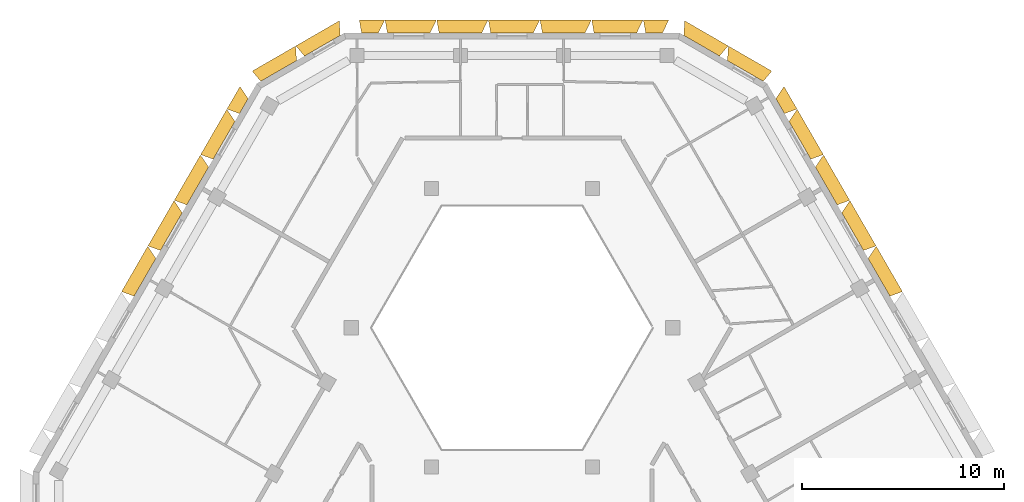
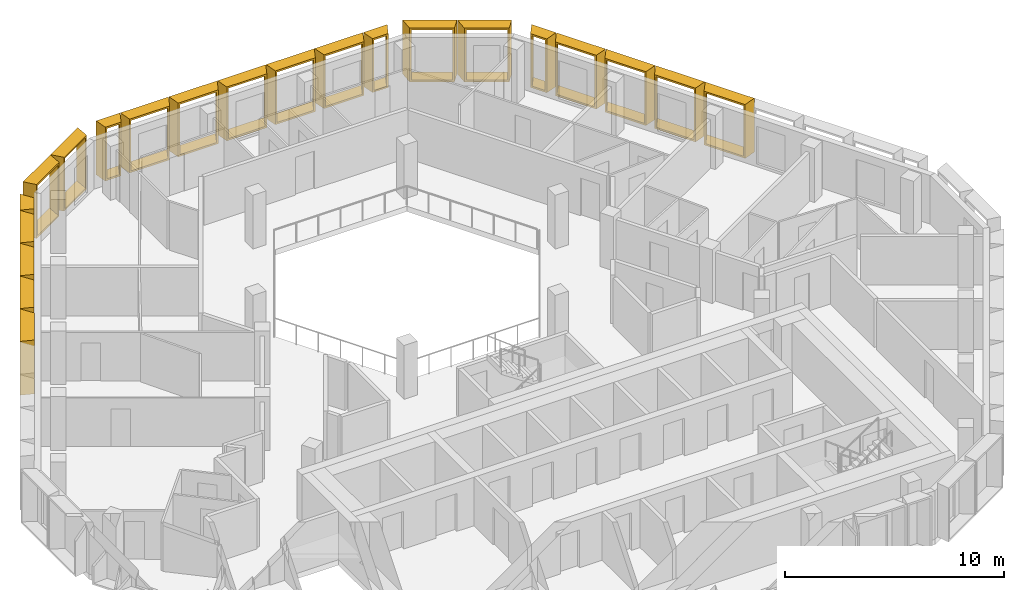
# One storey, part 14 of 14: 21 shading devices.
"""IFC4 building model written with IfcOpenShell, lengths in metres."""

from ifc_helpers import new_model, entity, si_unit, direction, frame, origin, place, context, subcontext, project, spatial, source, transform, mapped, material, type_object, type_shapes, element, save


model = new_model("IFC4")

# Units and contexts
model_context = context("Model", 3, precision=1e-05, world=origin(), true_north=direction((0.0, 1.0)))
body_context = subcontext(model_context, "Body", "Model", "MODEL_VIEW")
ifc_project = project(units=[si_unit("LENGTHUNIT", "METRE"), si_unit("AREAUNIT", "SQUARE_METRE"), si_unit("VOLUMEUNIT", "CUBIC_METRE"), si_unit("PLANEANGLEUNIT", "RADIAN"), si_unit("MASSUNIT", "GRAM", prefix="KILO")], contexts=[model_context])

# Site, building, storey
site_placement = place(None, origin())
site = spatial("IfcSite", under=ifc_project, at=site_placement, CompositionType="ELEMENT")
building_placement = place(site_placement, origin())
building = spatial("IfcBuilding", under=site, at=building_placement, Name="Beryl Residences", CompositionType="ELEMENT")
storey_placement = place(building_placement, frame((0.0, 0.0, 223.800048828125)))
storey = spatial("IfcBuildingStorey", under=building, at=storey_placement, Name="L69", CompositionType="ELEMENT", Elevation=223.800048828125)

# Shading devices
ifc_material_1 = material(Name="Aluminium pale anodised", Category="aluminium")
shading_device_type_1 = type_object("IfcShadingDeviceType", Name="FR128-65B OUTER SKIN frame 650 mm deep, splay 26/10 deg, 1280 x 3000 mm cell", PredefinedType="USERDEFINED", material=ifc_material_1)
cartesian_point_1 = entity("IfcCartesianPoint", [-0.4140625, 0.0])
cartesian_point_2 = entity("IfcCartesianPoint", [-0.324951171875, 0.10009765625])
cartesian_point_3 = entity("IfcCartesianPoint", [-0.73095703125, 0.0])
cartesian_point_4 = entity("IfcCartesianPoint", [-0.64208984375, 0.10009765625])
shared_shape_1 = source(origin(), body_context, "Body", "SweptSolid", [
    entity("IfcExtrudedAreaSolidTapered", entity("IfcArbitraryProfileDefWithVoids", "AREA", None, entity("IfcPolyline", [cartesian_point_1, entity("IfcCartesianPoint", [0.4140625, 0.0]), entity("IfcCartesianPoint", [0.4140625, 3.0]), entity("IfcCartesianPoint", [-0.4140625, 3.0]), cartesian_point_1]), [entity("IfcPolyline", [cartesian_point_2, entity("IfcCartesianPoint", [0.332763671875, 0.10009765625]), entity("IfcCartesianPoint", [0.332763671875, 2.89990234375]), entity("IfcCartesianPoint", [-0.324951171875, 2.89990234375]), cartesian_point_2])]), entity("IfcAxis2Placement3D", entity("IfcCartesianPoint", [0.0, 0.0, 0.0]), entity("IfcDirection", [0.0, 1.0, 0.0]), entity("IfcDirection", [-1.0, 0.0, 0.0])), entity("IfcDirection", [0.0, 0.0, 1.0]), 0.64990234375, entity("IfcArbitraryProfileDefWithVoids", "AREA", None, entity("IfcPolyline", [cartesian_point_3, entity("IfcCartesianPoint", [0.528564453125, 0.0]), entity("IfcCartesianPoint", [0.528564453125, 3.0]), entity("IfcCartesianPoint", [-0.73095703125, 3.0]), cartesian_point_3]), [entity("IfcPolyline", [cartesian_point_4, entity("IfcCartesianPoint", [0.447265625, 0.10009765625]), entity("IfcCartesianPoint", [0.447265625, 2.89990234375]), entity("IfcCartesianPoint", [-0.64208984375, 2.89990234375]), cartesian_point_4])])),
])
type_shapes(shading_device_type_1, [shared_shape_1])
for number, where, z_axis, x_axis, name in (
    (1, (7.0390625, 22.60009765625, 0.0), (0.0, 0.0, 1.0), (1.0, 0.0, 0.0), "FR128-65B frame L69 N 1"),
    (2, (-7.0380859375, 22.60009765625, 0.0), (0.0, 0.0, 1.0), (1.0, 0.0, 0.0), "FR128-65B frame L69 N 7"),
):
    element("IfcShadingDevice", number, at=place(storey_placement, frame(where, z_axis=z_axis, x_axis=x_axis)), inside=storey, type_object=shading_device_type_1, Name=name, ObjectType="OUTER SKIN", PredefinedType="USERDEFINED", context=body_context, shape_type="MappedRepresentation", body=[
        mapped(shared_shape_1, transform((0.0, 0.0, 0.0))),
    ])
ifc_material_2 = material(Name="Aluminium pale anodised", Category="aluminium")
shading_device_type_2 = type_object("IfcShadingDeviceType", Name="FR131-65B OUTER SKIN frame 650 mm deep, splay 26/10 deg, 1310 x 3000 mm cell", PredefinedType="USERDEFINED", material=ifc_material_2)
cartesian_point_5 = entity("IfcCartesianPoint", [-0.428955078125, 0.0])
cartesian_point_6 = entity("IfcCartesianPoint", [-0.340087890625, 0.10009765625])
cartesian_point_7 = entity("IfcCartesianPoint", [-0.74609375, 0.0])
cartesian_point_8 = entity("IfcCartesianPoint", [-0.656982421875, 0.10009765625])
shared_shape_2 = source(origin(), body_context, "Body", "SweptSolid", [
    entity("IfcExtrudedAreaSolidTapered", entity("IfcArbitraryProfileDefWithVoids", "AREA", None, entity("IfcPolyline", [cartesian_point_5, entity("IfcCartesianPoint", [0.428955078125, 0.0]), entity("IfcCartesianPoint", [0.428955078125, 3.0]), entity("IfcCartesianPoint", [-0.428955078125, 3.0]), cartesian_point_5]), [entity("IfcPolyline", [cartesian_point_6, entity("IfcCartesianPoint", [0.34765625, 0.10009765625]), entity("IfcCartesianPoint", [0.34765625, 2.89990234375]), entity("IfcCartesianPoint", [-0.340087890625, 2.89990234375]), cartesian_point_6])]), entity("IfcAxis2Placement3D", entity("IfcCartesianPoint", [0.0, 0.0, 0.0]), entity("IfcDirection", [0.0, 1.0, 0.0]), entity("IfcDirection", [-1.0, 0.0, 0.0])), entity("IfcDirection", [0.0, 0.0, 1.0]), 0.64990234375, entity("IfcArbitraryProfileDefWithVoids", "AREA", None, entity("IfcPolyline", [cartesian_point_7, entity("IfcCartesianPoint", [0.543701171875, 0.0]), entity("IfcCartesianPoint", [0.543701171875, 3.0]), entity("IfcCartesianPoint", [-0.74609375, 3.0]), cartesian_point_7]), [entity("IfcPolyline", [cartesian_point_8, entity("IfcCartesianPoint", [0.46240234375, 0.10009765625]), entity("IfcCartesianPoint", [0.46240234375, 2.89990234375]), entity("IfcCartesianPoint", [-0.656982421875, 2.89990234375]), cartesian_point_8])])),
])
type_shapes(shading_device_type_2, [shared_shape_2])
shading_device_1_placement = place(storey_placement, frame((-13.2880859375, 18.98388671875, 0.0), z_axis=(0.0, 0.0, 1.0), x_axis=(0.5, 0.866025403784, 0.0)))
element("IfcShadingDevice", 3, at=shading_device_1_placement, inside=storey, type_object=shading_device_type_2, Name="FR131-65B frame L69 NW 1", ObjectType="OUTER SKIN", PredefinedType="USERDEFINED", context=body_context, shape_type="MappedRepresentation", body=[
    mapped(shared_shape_2, transform((0.0, 0.0, 0.0))),
])
ifc_material_3 = material(Name="Aluminium pale anodised", Category="aluminium")
shading_device_type_3 = type_object("IfcShadingDeviceType", Name="FR131-65C OUTER SKIN frame 650 mm deep, splay 10/26 deg, 1310 x 3000 mm cell", PredefinedType="USERDEFINED", material=ifc_material_3)
cartesian_point_9 = entity("IfcCartesianPoint", [-0.428955078125, 0.0])
cartesian_point_10 = entity("IfcCartesianPoint", [-0.34765625, 0.10009765625])
cartesian_point_11 = entity("IfcCartesianPoint", [-0.543701171875, 0.0])
cartesian_point_12 = entity("IfcCartesianPoint", [-0.46240234375, 0.10009765625])
shared_shape_3 = source(origin(), body_context, "Body", "SweptSolid", [
    entity("IfcExtrudedAreaSolidTapered", entity("IfcArbitraryProfileDefWithVoids", "AREA", None, entity("IfcPolyline", [cartesian_point_9, entity("IfcCartesianPoint", [0.428955078125, 0.0]), entity("IfcCartesianPoint", [0.428955078125, 3.0]), entity("IfcCartesianPoint", [-0.428955078125, 3.0]), cartesian_point_9]), [entity("IfcPolyline", [cartesian_point_10, entity("IfcCartesianPoint", [0.340087890625, 0.10009765625]), entity("IfcCartesianPoint", [0.340087890625, 2.89990234375]), entity("IfcCartesianPoint", [-0.34765625, 2.89990234375]), cartesian_point_10])]), entity("IfcAxis2Placement3D", entity("IfcCartesianPoint", [0.0, 0.0, 0.0]), entity("IfcDirection", [0.0, 1.0, 0.0]), entity("IfcDirection", [-1.0, 0.0, 0.0])), entity("IfcDirection", [0.0, 0.0, 1.0]), 0.64990234375, entity("IfcArbitraryProfileDefWithVoids", "AREA", None, entity("IfcPolyline", [cartesian_point_11, entity("IfcCartesianPoint", [0.74609375, 0.0]), entity("IfcCartesianPoint", [0.74609375, 3.0]), entity("IfcCartesianPoint", [-0.543701171875, 3.0]), cartesian_point_11]), [entity("IfcPolyline", [cartesian_point_12, entity("IfcCartesianPoint", [0.656982421875, 0.10009765625]), entity("IfcCartesianPoint", [0.656982421875, 2.89990234375]), entity("IfcCartesianPoint", [-0.46240234375, 2.89990234375]), cartesian_point_12])])),
])
type_shapes(shading_device_type_3, [shared_shape_3])
shading_device_2_placement = place(storey_placement, frame((13.2880859375, 18.98388671875, 0.0), z_axis=(0.0, 0.0, 1.0), x_axis=(0.5, -0.866025403784, 0.0)))
element("IfcShadingDevice", 4, at=shading_device_2_placement, inside=storey, type_object=shading_device_type_3, Name="FR131-65C frame L69 NE 9", ObjectType="OUTER SKIN", PredefinedType="USERDEFINED", context=body_context, shape_type="MappedRepresentation", body=[
    mapped(shared_shape_3, transform((0.0, 0.0, 0.0))),
])
ifc_material_4 = material(Name="Aluminium pale anodised", Category="aluminium")
shading_device_type_4 = type_object("IfcShadingDeviceType", Name="FR250-65B OUTER SKIN frame 650 mm deep, splay 26/10 deg, 2500 x 3000 mm cell", PredefinedType="USERDEFINED", material=ifc_material_4)
cartesian_point_13 = entity("IfcCartesianPoint", [-1.02392578125, 0.0])
cartesian_point_14 = entity("IfcCartesianPoint", [-0.93505859375, 0.10009765625])
cartesian_point_15 = entity("IfcCartesianPoint", [-1.341064453125, 0.0])
cartesian_point_16 = entity("IfcCartesianPoint", [-1.251953125, 0.10009765625])
shared_shape_4 = source(origin(), body_context, "Body", "SweptSolid", [
    entity("IfcExtrudedAreaSolidTapered", entity("IfcArbitraryProfileDefWithVoids", "AREA", None, entity("IfcPolyline", [cartesian_point_13, entity("IfcCartesianPoint", [1.02392578125, 0.0]), entity("IfcCartesianPoint", [1.02392578125, 3.0]), entity("IfcCartesianPoint", [-1.02392578125, 3.0]), cartesian_point_13]), [entity("IfcPolyline", [cartesian_point_14, entity("IfcCartesianPoint", [0.94287109375, 0.10009765625]), entity("IfcCartesianPoint", [0.94287109375, 2.89990234375]), entity("IfcCartesianPoint", [-0.93505859375, 2.89990234375]), cartesian_point_14])]), entity("IfcAxis2Placement3D", entity("IfcCartesianPoint", [0.0, 0.0, 0.0]), entity("IfcDirection", [0.0, 1.0, 0.0]), entity("IfcDirection", [-1.0, 0.0, 0.0])), entity("IfcDirection", [0.0, 0.0, 1.0]), 0.64990234375, entity("IfcArbitraryProfileDefWithVoids", "AREA", None, entity("IfcPolyline", [cartesian_point_15, entity("IfcCartesianPoint", [1.138671875, 0.0]), entity("IfcCartesianPoint", [1.138671875, 3.0]), entity("IfcCartesianPoint", [-1.341064453125, 3.0]), cartesian_point_15]), [entity("IfcPolyline", [cartesian_point_16, entity("IfcCartesianPoint", [1.057373046875, 0.10009765625]), entity("IfcCartesianPoint", [1.057373046875, 2.89990234375]), entity("IfcCartesianPoint", [-1.251953125, 2.89990234375]), cartesian_point_16])])),
])
type_shapes(shading_device_type_4, [shared_shape_4])
for number, where, z_axis, x_axis, name in (
    (5, (-9.39599609375, 21.97509765625, 0.0), (0.0, 0.0, 1.0), (0.866025403784, 0.5, 0.0), "FR250-65B frame L69 N-NW 1"),
    (6, (-11.56103515625, 20.72509765625, 0.0), (0.0, 0.0, 1.0), (0.866025403784, 0.5, 0.0), "FR250-65B frame L69 N-NW 2"),
):
    element("IfcShadingDevice", number, at=place(storey_placement, frame(where, z_axis=z_axis, x_axis=x_axis)), inside=storey, type_object=shading_device_type_4, Name=name, ObjectType="OUTER SKIN", PredefinedType="USERDEFINED", context=body_context, shape_type="MappedRepresentation", body=[
        mapped(shared_shape_4, transform((0.0, 0.0, 0.0))),
    ])
ifc_material_5 = material(Name="Aluminium pale anodised", Category="aluminium")
shading_device_type_5 = type_object("IfcShadingDeviceType", Name="FR250-65C OUTER SKIN frame 650 mm deep, splay 10/26 deg, 2500 x 3000 mm cell", PredefinedType="USERDEFINED", material=ifc_material_5)
cartesian_point_17 = entity("IfcCartesianPoint", [-1.02392578125, 0.0])
cartesian_point_18 = entity("IfcCartesianPoint", [-0.94287109375, 0.10009765625])
cartesian_point_19 = entity("IfcCartesianPoint", [-1.138671875, 0.0])
cartesian_point_20 = entity("IfcCartesianPoint", [-1.057373046875, 0.10009765625])
shared_shape_5 = source(origin(), body_context, "Body", "SweptSolid", [
    entity("IfcExtrudedAreaSolidTapered", entity("IfcArbitraryProfileDefWithVoids", "AREA", None, entity("IfcPolyline", [cartesian_point_17, entity("IfcCartesianPoint", [1.02392578125, 0.0]), entity("IfcCartesianPoint", [1.02392578125, 3.0]), entity("IfcCartesianPoint", [-1.02392578125, 3.0]), cartesian_point_17]), [entity("IfcPolyline", [cartesian_point_18, entity("IfcCartesianPoint", [0.93505859375, 0.10009765625]), entity("IfcCartesianPoint", [0.93505859375, 2.89990234375]), entity("IfcCartesianPoint", [-0.94287109375, 2.89990234375]), cartesian_point_18])]), entity("IfcAxis2Placement3D", entity("IfcCartesianPoint", [0.0, 0.0, 0.0]), entity("IfcDirection", [0.0, 1.0, 0.0]), entity("IfcDirection", [-1.0, 0.0, 0.0])), entity("IfcDirection", [0.0, 0.0, 1.0]), 0.64990234375, entity("IfcArbitraryProfileDefWithVoids", "AREA", None, entity("IfcPolyline", [cartesian_point_19, entity("IfcCartesianPoint", [1.341064453125, 0.0]), entity("IfcCartesianPoint", [1.341064453125, 3.0]), entity("IfcCartesianPoint", [-1.138671875, 3.0]), cartesian_point_19]), [entity("IfcPolyline", [cartesian_point_20, entity("IfcCartesianPoint", [1.251953125, 0.10009765625]), entity("IfcCartesianPoint", [1.251953125, 2.89990234375]), entity("IfcCartesianPoint", [-1.057373046875, 2.89990234375]), cartesian_point_20])])),
])
type_shapes(shading_device_type_5, [shared_shape_5])
for number, where, z_axis, x_axis, name in (
    (7, (11.56103515625, 20.72509765625, 0.0), (0.0, 0.0, 1.0), (0.866025403784, -0.5, 0.0), "FR250-65C frame L69 NE-N 1"),
    (8, (9.39599609375, 21.97509765625, 0.0), (0.0, 0.0, 1.0), (0.866025403784, -0.5, 0.0), "FR250-65C frame L69 NE-N 2"),
):
    element("IfcShadingDevice", number, at=place(storey_placement, frame(where, z_axis=z_axis, x_axis=x_axis)), inside=storey, type_object=shading_device_type_5, Name=name, ObjectType="OUTER SKIN", PredefinedType="USERDEFINED", context=body_context, shape_type="MappedRepresentation", body=[
        mapped(shared_shape_5, transform((0.0, 0.0, 0.0))),
    ])
ifc_material_6 = material(Name="Aluminium pale anodised", Category="aluminium")
shading_device_type_6 = type_object("IfcShadingDeviceType", Name="FR256-65B OUTER SKIN frame 650 mm deep, splay 26/10 deg, 2560 x 3000 mm cell", PredefinedType="USERDEFINED", material=ifc_material_6)
cartesian_point_21 = entity("IfcCartesianPoint", [-1.053955078125, 0.0])
cartesian_point_22 = entity("IfcCartesianPoint", [-0.965087890625, 0.10009765625])
cartesian_point_23 = entity("IfcCartesianPoint", [-1.37109375, 0.0])
cartesian_point_24 = entity("IfcCartesianPoint", [-1.281982421875, 0.10009765625])
shared_shape_6 = source(origin(), body_context, "Body", "SweptSolid", [
    entity("IfcExtrudedAreaSolidTapered", entity("IfcArbitraryProfileDefWithVoids", "AREA", None, entity("IfcPolyline", [cartesian_point_21, entity("IfcCartesianPoint", [1.053955078125, 0.0]), entity("IfcCartesianPoint", [1.053955078125, 3.0]), entity("IfcCartesianPoint", [-1.053955078125, 3.0]), cartesian_point_21]), [entity("IfcPolyline", [cartesian_point_22, entity("IfcCartesianPoint", [0.97265625, 0.10009765625]), entity("IfcCartesianPoint", [0.97265625, 2.89990234375]), entity("IfcCartesianPoint", [-0.965087890625, 2.89990234375]), cartesian_point_22])]), entity("IfcAxis2Placement3D", entity("IfcCartesianPoint", [0.0, 0.0, 0.0]), entity("IfcDirection", [0.0, 1.0, 0.0]), entity("IfcDirection", [-1.0, 0.0, 0.0])), entity("IfcDirection", [0.0, 0.0, 1.0]), 0.64990234375, entity("IfcArbitraryProfileDefWithVoids", "AREA", None, entity("IfcPolyline", [cartesian_point_23, entity("IfcCartesianPoint", [1.168701171875, 0.0]), entity("IfcCartesianPoint", [1.168701171875, 3.0]), entity("IfcCartesianPoint", [-1.37109375, 3.0]), cartesian_point_23]), [entity("IfcPolyline", [cartesian_point_24, entity("IfcCartesianPoint", [1.08740234375, 0.10009765625]), entity("IfcCartesianPoint", [1.08740234375, 2.89990234375]), entity("IfcCartesianPoint", [-1.281982421875, 2.89990234375]), cartesian_point_24])])),
])
type_shapes(shading_device_type_6, [shared_shape_6])
for number, where, z_axis, x_axis, name in (
    (9, (5.1201171875, 22.60009765625, 0.0), (0.0, 0.0, 1.0), (1.0, 0.0, 0.0), "FR256-65B frame L69 N 2"),
    (10, (2.56005859375, 22.60009765625, 0.0), (0.0, 0.0, 1.0), (1.0, 0.0, 0.0), "FR256-65B frame L69 N 3"),
    (11, (0.0, 22.60009765625, 0.0), (0.0, 0.0, 1.0), (1.0, 0.0, 0.0), "FR256-65B frame L69 N 4"),
    (12, (-2.55908203125, 22.60009765625, 0.0), (0.0, 0.0, 1.0), (1.0, 0.0, 0.0), "FR256-65B frame L69 N 5"),
    (13, (-5.118896484375, 22.60009765625, 0.0), (0.0, 0.0, 1.0), (1.0, 0.0, 0.0), "FR256-65B frame L69 N 6"),
):
    element("IfcShadingDevice", number, at=place(storey_placement, frame(where, z_axis=z_axis, x_axis=x_axis)), inside=storey, type_object=shading_device_type_6, Name=name, ObjectType="OUTER SKIN", PredefinedType="USERDEFINED", context=body_context, shape_type="MappedRepresentation", body=[
        mapped(shared_shape_6, transform((0.0, 0.0, 0.0))),
    ])
ifc_material_7 = material(Name="Aluminium pale anodised", Category="aluminium")
shading_device_type_7 = type_object("IfcShadingDeviceType", Name="FR261-65B OUTER SKIN frame 650 mm deep, splay 26/10 deg, 2610 x 3000 mm cell", PredefinedType="USERDEFINED", material=ifc_material_7)
cartesian_point_25 = entity("IfcCartesianPoint", [-1.0791015625, 0.0])
cartesian_point_26 = entity("IfcCartesianPoint", [-0.989990234375, 0.10009765625])
cartesian_point_27 = entity("IfcCartesianPoint", [-1.39599609375, 0.0])
cartesian_point_28 = entity("IfcCartesianPoint", [-1.30712890625, 0.10009765625])
shared_shape_7 = source(origin(), body_context, "Body", "SweptSolid", [
    entity("IfcExtrudedAreaSolidTapered", entity("IfcArbitraryProfileDefWithVoids", "AREA", None, entity("IfcPolyline", [cartesian_point_25, entity("IfcCartesianPoint", [1.0791015625, 0.0]), entity("IfcCartesianPoint", [1.0791015625, 3.0]), entity("IfcCartesianPoint", [-1.0791015625, 3.0]), cartesian_point_25]), [entity("IfcPolyline", [cartesian_point_26, entity("IfcCartesianPoint", [0.997802734375, 0.10009765625]), entity("IfcCartesianPoint", [0.997802734375, 2.89990234375]), entity("IfcCartesianPoint", [-0.989990234375, 2.89990234375]), cartesian_point_26])]), entity("IfcAxis2Placement3D", entity("IfcCartesianPoint", [0.0, 0.0, 0.0]), entity("IfcDirection", [0.0, 1.0, 0.0]), entity("IfcDirection", [-1.0, 0.0, 0.0])), entity("IfcDirection", [0.0, 0.0, 1.0]), 0.64990234375, entity("IfcArbitraryProfileDefWithVoids", "AREA", None, entity("IfcPolyline", [cartesian_point_27, entity("IfcCartesianPoint", [1.193603515625, 0.0]), entity("IfcCartesianPoint", [1.193603515625, 3.0]), entity("IfcCartesianPoint", [-1.39599609375, 3.0]), cartesian_point_27]), [entity("IfcPolyline", [cartesian_point_28, entity("IfcCartesianPoint", [1.1123046875, 0.10009765625]), entity("IfcCartesianPoint", [1.1123046875, 2.89990234375]), entity("IfcCartesianPoint", [-1.30712890625, 2.89990234375]), cartesian_point_28])])),
])
type_shapes(shading_device_type_7, [shared_shape_7])
for number, where, z_axis, x_axis, name in (
    (14, (-14.26708984375, 17.2880859375, 0.0), (0.0, 0.0, 1.0), (0.5, 0.866025403784, 0.0), "FR261-65B frame L69 NW 2"),
    (15, (-15.573974609375, 15.02490234375, 0.0), (0.0, 0.0, 1.0), (0.5, 0.866025403784, 0.0), "FR261-65B frame L69 NW 3"),
    (16, (-16.8798828125, 12.762939453125, 0.0), (0.0, 0.0, 1.0), (0.5, 0.866025403784, 0.0), "FR261-65B frame L69 NW 4"),
    (17, (-18.18603515625, 10.5, 0.0), (0.0, 0.0, 1.0), (0.5, 0.866025403784, 0.0), "FR261-65B frame L69 NW 5"),
):
    element("IfcShadingDevice", number, at=place(storey_placement, frame(where, z_axis=z_axis, x_axis=x_axis)), inside=storey, type_object=shading_device_type_7, Name=name, ObjectType="OUTER SKIN", PredefinedType="USERDEFINED", context=body_context, shape_type="MappedRepresentation", body=[
        mapped(shared_shape_7, transform((0.0, 0.0, 0.0))),
    ])
ifc_material_8 = material(Name="Aluminium pale anodised", Category="aluminium")
shading_device_type_8 = type_object("IfcShadingDeviceType", Name="FR261-65C OUTER SKIN frame 650 mm deep, splay 10/26 deg, 2610 x 3000 mm cell", PredefinedType="USERDEFINED", material=ifc_material_8)
cartesian_point_29 = entity("IfcCartesianPoint", [-1.0791015625, 0.0])
cartesian_point_30 = entity("IfcCartesianPoint", [-0.997802734375, 0.10009765625])
cartesian_point_31 = entity("IfcCartesianPoint", [-1.193603515625, 0.0])
cartesian_point_32 = entity("IfcCartesianPoint", [-1.1123046875, 0.10009765625])
shared_shape_8 = source(origin(), body_context, "Body", "SweptSolid", [
    entity("IfcExtrudedAreaSolidTapered", entity("IfcArbitraryProfileDefWithVoids", "AREA", None, entity("IfcPolyline", [cartesian_point_29, entity("IfcCartesianPoint", [1.0791015625, 0.0]), entity("IfcCartesianPoint", [1.0791015625, 3.0]), entity("IfcCartesianPoint", [-1.0791015625, 3.0]), cartesian_point_29]), [entity("IfcPolyline", [cartesian_point_30, entity("IfcCartesianPoint", [0.989990234375, 0.10009765625]), entity("IfcCartesianPoint", [0.989990234375, 2.89990234375]), entity("IfcCartesianPoint", [-0.997802734375, 2.89990234375]), cartesian_point_30])]), entity("IfcAxis2Placement3D", entity("IfcCartesianPoint", [0.0, 0.0, 0.0]), entity("IfcDirection", [0.0, 1.0, 0.0]), entity("IfcDirection", [-1.0, 0.0, 0.0])), entity("IfcDirection", [0.0, 0.0, 1.0]), 0.64990234375, entity("IfcArbitraryProfileDefWithVoids", "AREA", None, entity("IfcPolyline", [cartesian_point_31, entity("IfcCartesianPoint", [1.39599609375, 0.0]), entity("IfcCartesianPoint", [1.39599609375, 3.0]), entity("IfcCartesianPoint", [-1.193603515625, 3.0]), cartesian_point_31]), [entity("IfcPolyline", [cartesian_point_32, entity("IfcCartesianPoint", [1.30712890625, 0.10009765625]), entity("IfcCartesianPoint", [1.30712890625, 2.89990234375]), entity("IfcCartesianPoint", [-1.1123046875, 2.89990234375]), cartesian_point_32])])),
])
type_shapes(shading_device_type_8, [shared_shape_8])
for number, where, z_axis, x_axis, name in (
    (18, (18.18603515625, 10.5, 0.0), (0.0, 0.0, 1.0), (0.5, -0.866025403784, 0.0), "FR261-65C frame L69 NE 5"),
    (19, (16.8798828125, 12.762939453125, 0.0), (0.0, 0.0, 1.0), (0.5, -0.866025403784, 0.0), "FR261-65C frame L69 NE 6"),
    (20, (15.573974609375, 15.02490234375, 0.0), (0.0, 0.0, 1.0), (0.5, -0.866025403784, 0.0), "FR261-65C frame L69 NE 7"),
    (21, (14.26708984375, 17.2880859375, 0.0), (0.0, 0.0, 1.0), (0.5, -0.866025403784, 0.0), "FR261-65C frame L69 NE 8"),
):
    element("IfcShadingDevice", number, at=place(storey_placement, frame(where, z_axis=z_axis, x_axis=x_axis)), inside=storey, type_object=shading_device_type_8, Name=name, ObjectType="OUTER SKIN", PredefinedType="USERDEFINED", context=body_context, shape_type="MappedRepresentation", body=[
        mapped(shared_shape_8, transform((0.0, 0.0, 0.0))),
    ])

save(model, "model.ifc")
